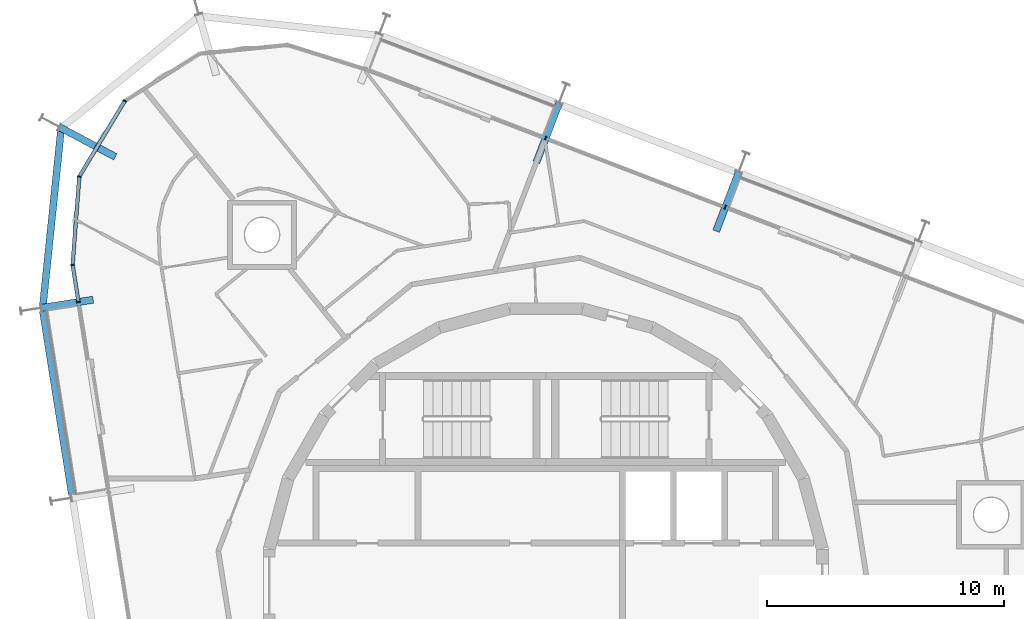
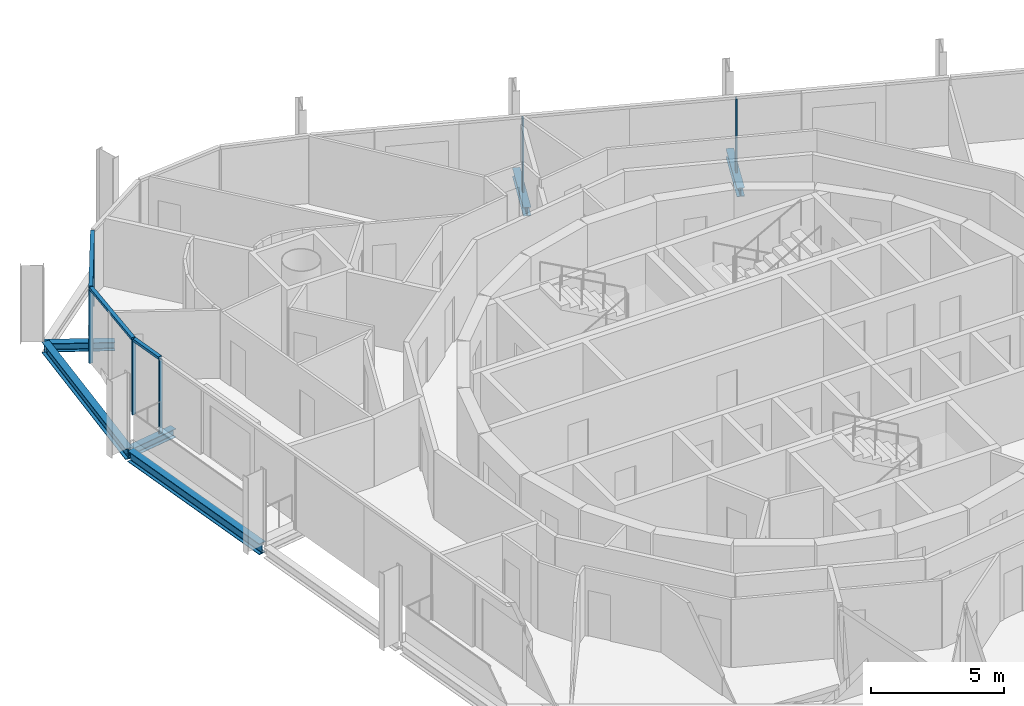
# One storey, part 6 of 18: 9 members, 6 beams, 3 elements without a shape of their own.
"""IFC4 building model written with IfcOpenShell, lengths in metres."""

from ifc_helpers import new_model, si_unit, direction, frame, origin, origin_2d, place, context, subcontext, project, spatial, rectangle, i_section, extrude, material, layer, layer_set, material_profile, profile_set, type_object, element, aggregate, save


model = new_model("IFC4")

# Units and contexts
model_context = context("Model", 3, precision=1e-05, world=origin(), true_north=direction((0.0, 1.0)))
body_context = subcontext(model_context, "Body", "Model", "MODEL_VIEW")
ifc_project = project(units=[si_unit("LENGTHUNIT", "METRE"), si_unit("AREAUNIT", "SQUARE_METRE"), si_unit("VOLUMEUNIT", "CUBIC_METRE"), si_unit("PLANEANGLEUNIT", "RADIAN"), si_unit("MASSUNIT", "GRAM", prefix="KILO")], contexts=[model_context])

# Site, building, storey
site_placement = place(None, origin())
site = spatial("IfcSite", under=ifc_project, at=site_placement, CompositionType="ELEMENT")
building_placement = place(site_placement, origin())
building = spatial("IfcBuilding", under=site, at=building_placement, Name="Spindle Arch Residences", CompositionType="ELEMENT")
storey_placement = place(building_placement, frame((0.0, 0.0, 280.89990234375)))
storey = spatial("IfcBuildingStorey", under=building, at=storey_placement, Name="L72", CompositionType="ELEMENT", Elevation=280.89990234375)

# Curtain wall, members
ifc_material_1 = material(Name="Aluminium bronze unitised frame with tinted glass", Category="aluminium")
ifc_layer_1 = layer(ifc_material_1, 0.159912109375)
ifc_layer_set_1 = layer_set([ifc_layer_1], Name="CW-C typical residential unitised wall")
curtain_wall_type_1 = type_object("IfcCurtainWallType", Name="CW-C typical residential unitised wall", PredefinedType="NOTDEFINED", material=ifc_layer_set_1)
curtain_wall_1_placement = place(storey_placement, origin())
curtain_wall_1 = element("IfcCurtainWall", 1, at=curtain_wall_1_placement, inside=storey, type_object=curtain_wall_type_1, Name="CW-C L72 run 2", PredefinedType="NOTDEFINED")
ifc_material_2 = material(Name="Aluminium bronze anodised mullion", Category="aluminium")
ifc_material_profile_1 = material_profile(ifc_material_2, rectangle(XDim=0.159912109375, YDim=0.06005859375, at=origin_2d()), Name="MU 60x160")
ifc_profile_set_1 = profile_set([ifc_material_profile_1], Name="Aluminium bronze anodised mullion")
member_type_1 = type_object("IfcMemberType", Name="Bronze mullion 60x160", PredefinedType="MULLION", material=ifc_profile_set_1)
member_1_placement = place(storey_placement, frame((7.560302734375, 15.9248046875, -0.3798828125), z_axis=(0.0, 0.0, 1.0), x_axis=(-0.358367949545, -0.933580426497, 0.0)))
member_1 = element("IfcMember", 2, at=member_1_placement, type_object=member_type_1, Name="CW-C mullion 06", PredefinedType="MULLION", context=body_context, shape_type="SweptSolid", body=[
    extrude(rectangle(XDim=0.159912109375, YDim=0.06005859375, at=origin_2d()), origin(), (0.0, 0.0, 1.0), 3.3798828125),
])
member_2_placement = place(storey_placement, frame((-0.0087890625, 18.830322265625, -0.3798828125), z_axis=(0.0, 0.0, 1.0), x_axis=(-0.358367949545, -0.933580426497, 0.0)))
member_2 = element("IfcMember", 3, at=member_2_placement, type_object=member_type_1, Name="CW-C mullion 07", PredefinedType="MULLION", context=body_context, shape_type="SweptSolid", body=[
    extrude(rectangle(XDim=0.159912109375, YDim=0.06005859375, at=origin_2d()), origin(), (0.0, 0.0, 1.0), 3.3798828125),
])
aggregate(curtain_wall_1, [member_1, member_2])

ifc_material_3 = material(Name="Aluminium bronze unitised frame with tinted glass", Category="aluminium")
ifc_layer_2 = layer(ifc_material_3, 0.159912109375)
ifc_layer_set_2 = layer_set([ifc_layer_2], Name="CW-D corner wall on the fillet arcs")
curtain_wall_type_2 = type_object("IfcCurtainWallType", Name="CW-D corner wall on the fillet arcs", PredefinedType="NOTDEFINED", material=ifc_layer_set_2)
curtain_wall_2_placement = place(storey_placement, origin())
curtain_wall_2 = element("IfcCurtainWall", 4, at=curtain_wall_2_placement, inside=storey, type_object=curtain_wall_type_2, Name="CW-D L72 run 3", PredefinedType="NOTDEFINED")
member_3_placement = place(storey_placement, frame((-17.732421875, 20.406982421875, -0.3798828125), z_axis=(0.0, 0.0, 1.0), x_axis=(0.857167301925, -0.515038072875, 0.0)))
member_3 = element("IfcMember", 5, at=member_3_placement, type_object=member_type_1, Name="CW-D mullion 03", PredefinedType="MULLION", context=body_context, shape_type="SweptSolid", body=[
    extrude(rectangle(XDim=0.159912109375, YDim=0.06005859375, at=origin_2d()), origin(), (0.0, 0.0, 1.0), 3.3798828125),
])
member_4_placement = place(storey_placement, frame((-19.65185546875, 17.212646484375, -0.3798828125), z_axis=(0.0, 0.0, 1.0), x_axis=(0.997141344139, -0.07555884997, 0.0)))
member_4 = element("IfcMember", 6, at=member_4_placement, type_object=member_type_1, Name="CW-D mullion 04", PredefinedType="MULLION", context=body_context, shape_type="SweptSolid", body=[
    extrude(rectangle(XDim=0.159912109375, YDim=0.06005859375, at=origin_2d()), origin(), (0.0, 0.0, 1.0), 3.3798828125),
])
member_5_placement = place(storey_placement, frame((-19.933349609375, 13.49658203125, -0.3798828125), z_axis=(0.0, 0.0, 1.0), x_axis=(0.987688340595, 0.15643446504, 0.0)))
member_5 = element("IfcMember", 7, at=member_5_placement, type_object=member_type_1, Name="CW-D mullion 05", PredefinedType="MULLION", context=body_context, shape_type="SweptSolid", body=[
    extrude(rectangle(XDim=0.159912109375, YDim=0.06005859375, at=origin_2d()), origin(), (0.0, 0.0, 1.0), 3.3798828125),
])

# Curtain wall, member
curtain_wall_3_placement = place(storey_placement, origin())
curtain_wall_3 = element("IfcCurtainWall", 8, at=curtain_wall_3_placement, inside=storey, type_object=curtain_wall_type_1, Name="CW-C L72 run 4", PredefinedType="NOTDEFINED")
member_6_placement = place(storey_placement, frame((-19.685546875, 11.931396484375, -0.3798828125), z_axis=(0.0, 0.0, 1.0), x_axis=(0.987688340595, 0.15643446504, 0.0)))
member_6 = element("IfcMember", 9, at=member_6_placement, type_object=member_type_1, Name="CW-C mullion 11", PredefinedType="MULLION", context=body_context, shape_type="SweptSolid", body=[
    extrude(rectangle(XDim=0.159912109375, YDim=0.06005859375, at=origin_2d()), origin(), (0.0, 0.0, 1.0), 3.3798828125),
])
aggregate(curtain_wall_3, [member_6])

# Member
ifc_material_4 = material(Name="Aluminium bronze anodised transom", Category="aluminium")
ifc_material_profile_2 = material_profile(ifc_material_4, rectangle(XDim=0.159912109375, YDim=0.1201171875, at=origin_2d()), Name="TR 120x160")
ifc_profile_set_2 = profile_set([ifc_material_profile_2], Name="Aluminium bronze anodised transom")
member_type_2 = type_object("IfcMemberType", Name="Bronze transom 120x160", PredefinedType="USERDEFINED", material=ifc_profile_set_2)
member_7_placement = place(storey_placement, frame((-17.747802734375, 20.38134765625, 3.06005859375), z_axis=(-0.515014612012, -0.857181398196, 0.0), x_axis=(0.857181398196, -0.515014612012, 0.0)))
member_7 = element("IfcMember", 10, at=member_7_placement, type_object=member_type_2, Name="CW-D transom 03", ObjectType="TRANSOM", PredefinedType="USERDEFINED", context=body_context, shape_type="SweptSolid", body=[
    extrude(rectangle(XDim=0.159912109375, YDim=0.1201171875, at=origin_2d()), origin(), (0.0, 0.0, 1.0), 3.666748046875),
])

member_8_placement = place(storey_placement, frame((-19.654052734375, 17.1826171875, 3.06005859375), z_axis=(-0.07557120479, -0.99714040787, 0.0), x_axis=(0.99714040787, -0.07557120479, 0.0)))
member_8 = element("IfcMember", 11, at=member_8_placement, type_object=member_type_2, Name="CW-D transom 04", ObjectType="TRANSOM", PredefinedType="USERDEFINED", context=body_context, shape_type="SweptSolid", body=[
    extrude(rectangle(XDim=0.159912109375, YDim=0.1201171875, at=origin_2d()), origin(), (0.0, 0.0, 1.0), 3.666748046875),
])

member_9_placement = place(storey_placement, frame((-19.9287109375, 13.466796875, 3.06005859375), z_axis=(0.156447707445, -0.987686243113, 0.0), x_axis=(0.987686243113, 0.156447707445, 0.0)))
member_9 = element("IfcMember", 12, at=member_9_placement, type_object=member_type_2, Name="CW-D transom 05", ObjectType="TRANSOM", PredefinedType="USERDEFINED", context=body_context, shape_type="SweptSolid", body=[
    extrude(rectangle(XDim=0.159912109375, YDim=0.1201171875, at=origin_2d()), origin(), (0.0, 0.0, 1.0), 1.524658203125),
])

aggregate(curtain_wall_2, [member_3, member_7, member_4, member_8, member_5, member_9])

# Beams
ifc_material_5 = material(Name="Steel S460ML, intumescent coating R 120", Category="steel")
ifc_material_profile_3 = material_profile(ifc_material_5, i_section(OverallWidth=0.300048828125, OverallDepth=0.5, WebThickness=0.014404296875, FlangeThickness=0.028076171875, FilletRadius=0.027099609375, at=origin_2d()), Name="HEB 500")
ifc_profile_set_3 = profile_set([ifc_material_profile_3], Name="Steel S460ML, intumescent coating R 120")
beam_type_1 = type_object("IfcBeamType", Name="Exoskeleton edge beam HEB 500", PredefinedType="BEAM", material=ifc_profile_set_3)
beam_1_placement = place(storey_placement, frame((-20.41015625, 19.294189453125, -0.6298828125), z_axis=(-0.102188803119, -0.99476502176, 0.0), x_axis=(0.99476502176, -0.102188803119, 0.0)))
element("IfcBeam", 13, at=beam_1_placement, inside=storey, type_object=beam_type_1, Name="Exoskeleton edge beam 11", PredefinedType="BEAM", context=body_context, shape_type="SweptSolid", body=[
    extrude(i_section(OverallWidth=0.300048828125, OverallDepth=0.5, WebThickness=0.014404296875, FlangeThickness=0.028076171875, FilletRadius=0.027099609375, at=origin_2d()), origin(), (0.0, 0.0, 1.0), 7.6689453125),
])
beam_2_placement = place(storey_placement, frame((-21.186279296875, 11.56201171875, -0.6298828125), z_axis=(0.156453001738, -0.987685404492, 0.0), x_axis=(0.987685404492, 0.156453001738, 0.0)))
element("IfcBeam", 14, at=beam_2_placement, inside=storey, type_object=beam_type_1, Name="Exoskeleton edge beam 12", PredefinedType="BEAM", context=body_context, shape_type="SweptSolid", body=[
    extrude(i_section(OverallWidth=0.300048828125, OverallDepth=0.5, WebThickness=0.014404296875, FlangeThickness=0.028076171875, FilletRadius=0.027099609375, at=origin_2d()), origin(), (0.0, 0.0, 1.0), 7.84765625),
])
ifc_material_6 = material(Name="Steel S460ML, intumescent coating R 120", Category="steel")
ifc_material_profile_4 = material_profile(ifc_material_6, i_section(OverallWidth=0.300048828125, OverallDepth=0.389892578125, WebThickness=0.010986328125, FlangeThickness=0.01904296875, FilletRadius=0.027099609375, at=origin_2d()), Name="HEA 400")
ifc_profile_set_4 = profile_set([ifc_material_profile_4], Name="Steel S460ML, intumescent coating R 120")
beam_type_2 = type_object("IfcBeamType", Name="Floor outrigger HEA 400", PredefinedType="BEAM", material=ifc_profile_set_4)
for number, where, z_axis, x_axis, name in (
    (15, (8.123046875, 17.390625, -0.574951171875), (-0.358392499624, -0.933571002234, 0.0), (0.933571002234, -0.358392499624, 0.0), "Floor outrigger 7"),
    (16, (0.553955078125, 20.296142578125, -0.574951171875), (-0.358392499624, -0.933571002234, 0.0), (0.933571002234, -0.358392499624, 0.0), "Floor outrigger 8"),
    (17, (-20.472900390625, 19.29150390625, -0.574951171875), (0.882885392442, -0.469588526065, 0.0), (0.469588526065, 0.882885392442, 0.0), "Floor outrigger 11"),
):
    element("IfcBeam", number, at=place(storey_placement, frame(where, z_axis=z_axis, x_axis=x_axis)), inside=storey, type_object=beam_type_2, Name=name, PredefinedType="BEAM", context=body_context, shape_type="SweptSolid", body=[
        extrude(i_section(OverallWidth=0.300048828125, OverallDepth=0.389892578125, WebThickness=0.010986328125, FlangeThickness=0.01904296875, FilletRadius=0.027099609375, at=origin_2d()), origin(), (0.0, 0.0, 1.0), 2.64990234375),
    ])
beam_3_placement = place(storey_placement, frame((-21.236083984375, 11.685791015625, -0.574951171875), z_axis=(0.987697139372, 0.156378901635, 0.0), x_axis=(-0.156378901635, 0.987697139372, 0.0)))
element("IfcBeam", 18, at=beam_3_placement, inside=storey, type_object=beam_type_2, Name="Floor outrigger 12", PredefinedType="BEAM", context=body_context, shape_type="SweptSolid", body=[
    extrude(i_section(OverallWidth=0.300048828125, OverallDepth=0.389892578125, WebThickness=0.010986328125, FlangeThickness=0.01904296875, FilletRadius=0.027099609375, at=origin_2d()), origin(), (0.0, 0.0, 1.0), 2.1982421875),
])

save(model, "model.ifc")
